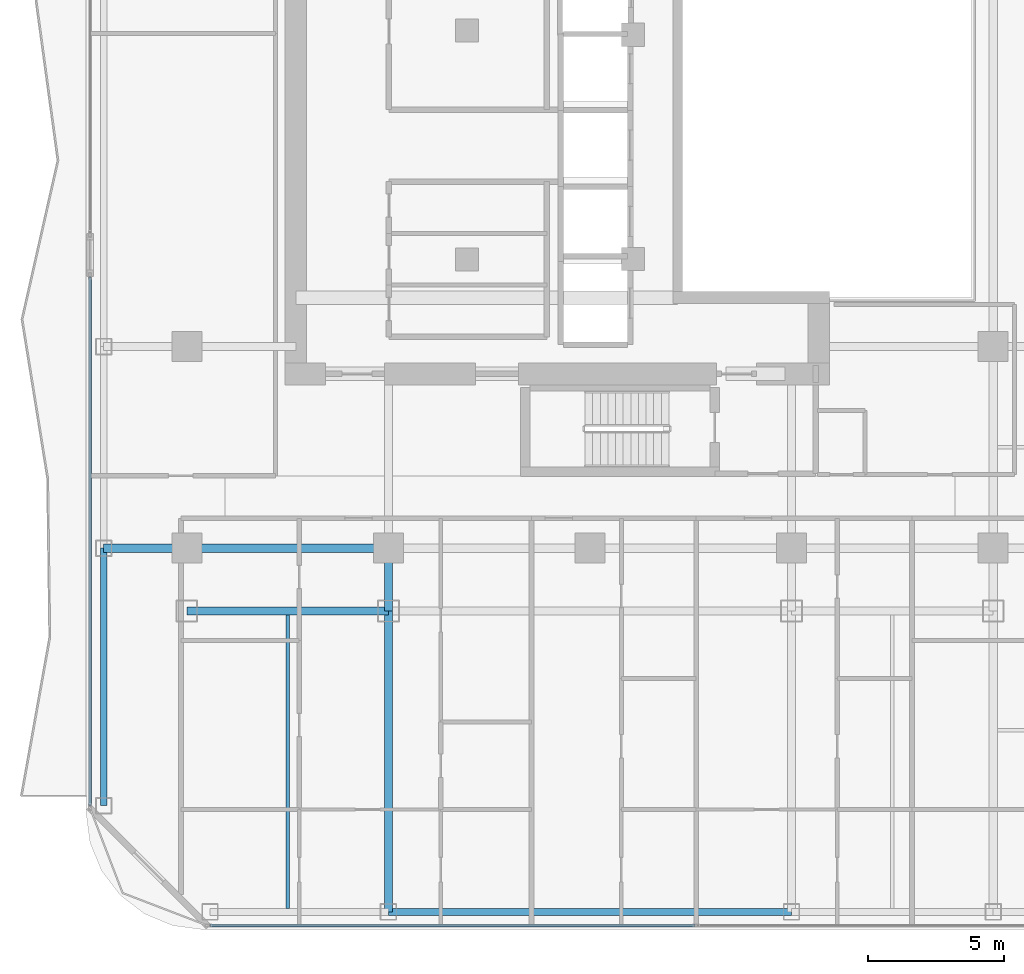
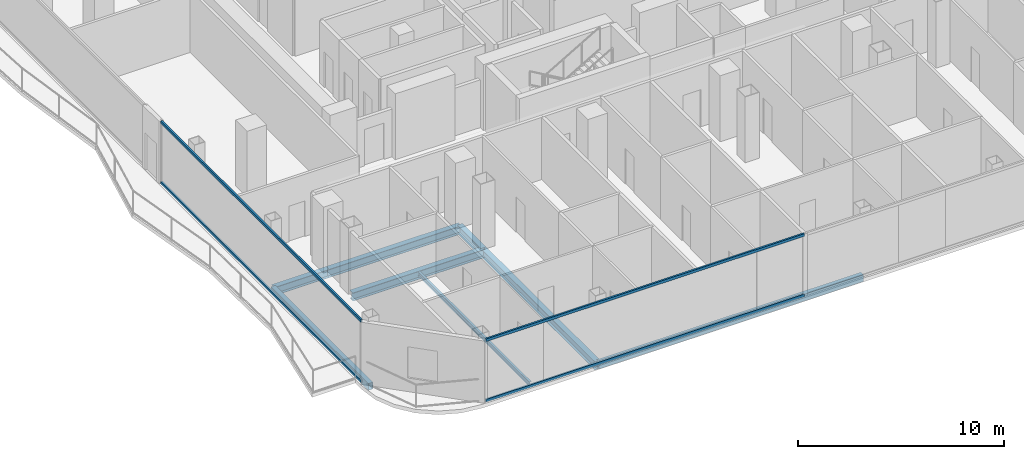
# One storey, part 3 of 26: 8 beams, 4 members, 2 elements without a shape of their own.
"""IFC4 building model written with IfcOpenShell, lengths in metres."""

from ifc_helpers import new_model, si_unit, direction, frame, origin, origin_2d, place, context, subcontext, project, spatial, hollow_rectangle, i_section, extrude, material, layer, layer_set, material_profile, profile_set, type_object, element, aggregate, save


model = new_model("IFC4")

# Units and contexts
model_context = context("Model", 3, precision=1e-05, world=origin(), true_north=direction((0.0, 1.0)))
body_context = subcontext(model_context, "Body", "Model", "MODEL_VIEW")
ifc_project = project(units=[si_unit("LENGTHUNIT", "METRE"), si_unit("AREAUNIT", "SQUARE_METRE"), si_unit("VOLUMEUNIT", "CUBIC_METRE"), si_unit("PLANEANGLEUNIT", "RADIAN"), si_unit("MASSUNIT", "GRAM", prefix="KILO")], contexts=[model_context])

# Site, building, storey
site_placement = place(None, origin())
site = spatial("IfcSite", under=ifc_project, at=site_placement, CompositionType="ELEMENT")
building_placement = place(site_placement, origin())
building = spatial("IfcBuilding", under=site, at=building_placement, Name="Khorvyn Point Tower", CompositionType="ELEMENT")
storey_placement = place(building_placement, frame((0.0, 0.0, 223.5)))
storey = spatial("IfcBuildingStorey", under=building, at=storey_placement, Name="L55", CompositionType="ELEMENT", Elevation=223.5)

# Curtain wall, members
ifc_material_1 = material(Name="Anodised aluminium 6063-T6 and laminated Low-E glass", Category="aluminium")
ifc_layer = layer(ifc_material_1, 0.18994140625)
ifc_layer_set = layer_set([ifc_layer], Name="Stick-Built Acoustic Curtain Wall CW-SYS-03")
curtain_wall_type = type_object("IfcCurtainWallType", Name="Stick-Built Acoustic Curtain Wall CW-SYS-03", PredefinedType="NOTDEFINED", material=ifc_layer_set)
curtain_wall_1_placement = place(storey_placement, origin())
curtain_wall_1 = element("IfcCurtainWall", 1, at=curtain_wall_1_placement, inside=storey, type_object=curtain_wall_type, Name="Curtain Wall", PredefinedType="NOTDEFINED")
ifc_material_2 = material(Name="Anodised aluminium 6063-T6", Category="aluminium")
ifc_material_profile_1 = material_profile(ifc_material_2, hollow_rectangle(XDim=0.10009765625, YDim=0.159912109375, WallThickness=0.00439453125, at=origin_2d()))
ifc_profile_set_1 = profile_set([ifc_material_profile_1], Name="Anodised aluminium 6063-T6 ALU-TRN-100x160")
member_type = type_object("IfcMemberType", Name="Anodised Aluminium 6063-T6 Transom ALU-TRN-100x160", PredefinedType="USERDEFINED", material=ifc_profile_set_1)
member_1_placement = place(storey_placement, frame((3.85009765625, -28.64990234375, 0.050048828125), z_axis=(-1.0, 0.0, 0.0), x_axis=(0.0, -1.0, 0.0)))
member_1 = element("IfcMember", 2, at=member_1_placement, type_object=member_type, Name="Transom", ObjectType="TRANSOM", PredefinedType="USERDEFINED", context=body_context, shape_type="SweptSolid", body=[
    extrude(hollow_rectangle(XDim=0.10009765625, YDim=0.159912109375, WallThickness=0.00439453125, at=origin_2d()), origin(), (0.0, 0.0, 1.0), 17.800048828125),
])
member_2_placement = place(storey_placement, frame((3.85009765625, -28.64990234375, 3.6298828125), z_axis=(-1.0, 0.0, 0.0), x_axis=(0.0, -1.0, 0.0)))
member_2 = element("IfcMember", 3, at=member_2_placement, type_object=member_type, Name="Transom", ObjectType="TRANSOM", PredefinedType="USERDEFINED", context=body_context, shape_type="SweptSolid", body=[
    extrude(hollow_rectangle(XDim=0.10009765625, YDim=0.159912109375, WallThickness=0.00439453125, at=origin_2d()), origin(), (0.0, 0.0, 1.0), 17.800048828125),
])
aggregate(curtain_wall_1, [member_1, member_2])

curtain_wall_2_placement = place(storey_placement, origin())
curtain_wall_2 = element("IfcCurtainWall", 4, at=curtain_wall_2_placement, inside=storey, type_object=curtain_wall_type, Name="Curtain Wall", PredefinedType="NOTDEFINED")
member_3_placement = place(storey_placement, frame((-18.35009765625, -24.25, 0.050048828125), z_axis=(0.0, 1.0, 0.0), x_axis=(-1.0, 0.0, 0.0)))
member_3 = element("IfcMember", 5, at=member_3_placement, type_object=member_type, Name="Transom", ObjectType="TRANSOM", PredefinedType="USERDEFINED", context=body_context, shape_type="SweptSolid", body=[
    extrude(hollow_rectangle(XDim=0.10009765625, YDim=0.159912109375, WallThickness=0.00439453125, at=origin_2d()), origin(), (0.0, 0.0, 1.0), 19.39990234375),
])
member_4_placement = place(storey_placement, frame((-18.35009765625, -24.25, 3.6298828125), z_axis=(0.0, 1.0, 0.0), x_axis=(-1.0, 0.0, 0.0)))
member_4 = element("IfcMember", 6, at=member_4_placement, type_object=member_type, Name="Transom", ObjectType="TRANSOM", PredefinedType="USERDEFINED", context=body_context, shape_type="SweptSolid", body=[
    extrude(hollow_rectangle(XDim=0.10009765625, YDim=0.159912109375, WallThickness=0.00439453125, at=origin_2d()), origin(), (0.0, 0.0, 1.0), 19.39990234375),
])
aggregate(curtain_wall_2, [member_3, member_4])

# Beams
ifc_material_3 = material(Name="Steel S355", Category="steel")
ifc_material_profile_2 = material_profile(ifc_material_3, i_section(OverallWidth=0.125, OverallDepth=0.25, WebThickness=0.006103515625, FlangeThickness=0.009033203125, at=origin_2d()))
ifc_profile_set_2 = profile_set([ifc_material_profile_2], Name="Steel S355 H250x125x6x9")
beam_type_1 = type_object("IfcBeamType", Name="Steel S355 Joist H250x125x6x9", PredefinedType="JOIST", material=ifc_profile_set_2)
beam_1_placement = place(storey_placement, frame((-11.10009765625, -28.02490234375, -0.344970703125), z_axis=(0.0, 1.0, 0.0), x_axis=(-1.0, 0.0, 0.0)))
element("IfcBeam", 7, at=beam_1_placement, inside=storey, type_object=beam_type_1, Name="Beam", PredefinedType="JOIST", context=body_context, shape_type="SweptSolid", body=[
    extrude(i_section(OverallWidth=0.125, OverallDepth=0.25, WebThickness=0.006103515625, FlangeThickness=0.009033203125, at=origin_2d()), origin(), (0.0, 0.0, 1.0), 10.77490234375),
])
ifc_material_profile_3 = material_profile(ifc_material_3, i_section(OverallWidth=0.300048828125, OverallDepth=0.488037109375, WebThickness=0.010986328125, FlangeThickness=0.01806640625, at=origin_2d()))
ifc_profile_set_3 = profile_set([ifc_material_profile_3], Name="Steel S355 H488x300x11x18")
beam_type_2 = type_object("IfcBeamType", Name="Steel S355 Spandrel H488x300x11x18", PredefinedType="SPANDREL", material=ifc_profile_set_3)
beam_2_placement = place(storey_placement, frame((-17.85009765625, -14.800048828125, -0.464111328125), z_axis=(1.0, 0.0, 0.0), x_axis=(0.0, 1.0, 0.0)))
element("IfcBeam", 8, at=beam_2_placement, inside=storey, type_object=beam_type_2, Name="Beam", PredefinedType="SPANDREL", context=body_context, shape_type="SweptSolid", body=[
    extrude(i_section(OverallWidth=0.300048828125, OverallDepth=0.488037109375, WebThickness=0.010986328125, FlangeThickness=0.01806640625, at=origin_2d()), origin(), (0.0, 0.0, 1.0), 3.050048828125),
])
for number, where, z_axis, x_axis, name in (
    (9, (-14.800048828125, -14.800048828125, -0.464111328125), (1.0, 0.0, 0.0), (0.0, 1.0, 0.0), "Beam"),
    (10, (-14.800048828125, -17.10009765625, -0.464111328125), (1.0, 0.0, 0.0), (0.0, 1.0, 0.0), "Beam"),
):
    element("IfcBeam", number, at=place(storey_placement, frame(where, z_axis=z_axis, x_axis=x_axis)), inside=storey, type_object=beam_type_2, Name=name, PredefinedType="SPANDREL", context=body_context, shape_type="SweptSolid", body=[
        extrude(i_section(OverallWidth=0.300048828125, OverallDepth=0.488037109375, WebThickness=0.010986328125, FlangeThickness=0.01806640625, at=origin_2d()), origin(), (0.0, 0.0, 1.0), 7.400146484375),
    ])
beam_3_placement = place(storey_placement, frame((-7.39990234375, -28.14990234375, -0.464111328125), z_axis=(0.0, 1.0, 0.0), x_axis=(-1.0, 0.0, 0.0)))
element("IfcBeam", 11, at=beam_3_placement, inside=storey, type_object=beam_type_2, Name="Beam", PredefinedType="SPANDREL", context=body_context, shape_type="SweptSolid", body=[
    extrude(i_section(OverallWidth=0.300048828125, OverallDepth=0.488037109375, WebThickness=0.010986328125, FlangeThickness=0.01806640625, at=origin_2d()), origin(), (0.0, 0.0, 1.0), 11.0498046875),
])
beam_4_placement = place(storey_placement, frame((-7.39990234375, -17.10009765625, -0.464111328125), z_axis=(0.0, 1.0, 0.0), x_axis=(-1.0, 0.0, 0.0)))
element("IfcBeam", 12, at=beam_4_placement, inside=storey, type_object=beam_type_2, Name="Beam", PredefinedType="SPANDREL", context=body_context, shape_type="SweptSolid", body=[
    extrude(i_section(OverallWidth=0.300048828125, OverallDepth=0.488037109375, WebThickness=0.010986328125, FlangeThickness=0.01806640625, at=origin_2d()), origin(), (0.0, 0.0, 1.0), 2.300048828125),
])
ifc_material_profile_4 = material_profile(ifc_material_3, hollow_rectangle(XDim=0.25, YDim=0.39990234375, WallThickness=0.01611328125, at=origin_2d()))
ifc_profile_set_4 = profile_set([ifc_material_profile_4], Name="Steel S355 RHS400x250x16")
beam_type_3 = type_object("IfcBeamType", Name="Steel S355 Spandrel RHS400x250x16", PredefinedType="SPANDREL", material=ifc_profile_set_4)
beam_5_placement = place(storey_placement, frame((-7.39990234375, -28.14990234375, -0.419921875), z_axis=(1.0, 0.0, 0.0), x_axis=(0.0, 1.0, 0.0)))
element("IfcBeam", 13, at=beam_5_placement, inside=storey, type_object=beam_type_3, Name="Beam", PredefinedType="SPANDREL", context=body_context, shape_type="SweptSolid", body=[
    extrude(hollow_rectangle(XDim=0.25, YDim=0.39990234375, WallThickness=0.01611328125, at=origin_2d()), origin(), (0.0, 0.0, 1.0), 14.7998046875),
])
beam_6_placement = place(storey_placement, frame((-17.85009765625, -24.25, -0.419921875), z_axis=(0.0, 1.0, 0.0), x_axis=(-1.0, 0.0, 0.0)))
element("IfcBeam", 14, at=beam_6_placement, inside=storey, type_object=beam_type_3, Name="Beam", PredefinedType="SPANDREL", context=body_context, shape_type="SweptSolid", body=[
    extrude(hollow_rectangle(XDim=0.25, YDim=0.39990234375, WallThickness=0.01611328125, at=origin_2d()), origin(), (0.0, 0.0, 1.0), 9.449951171875),
])

save(model, "model.ifc")
